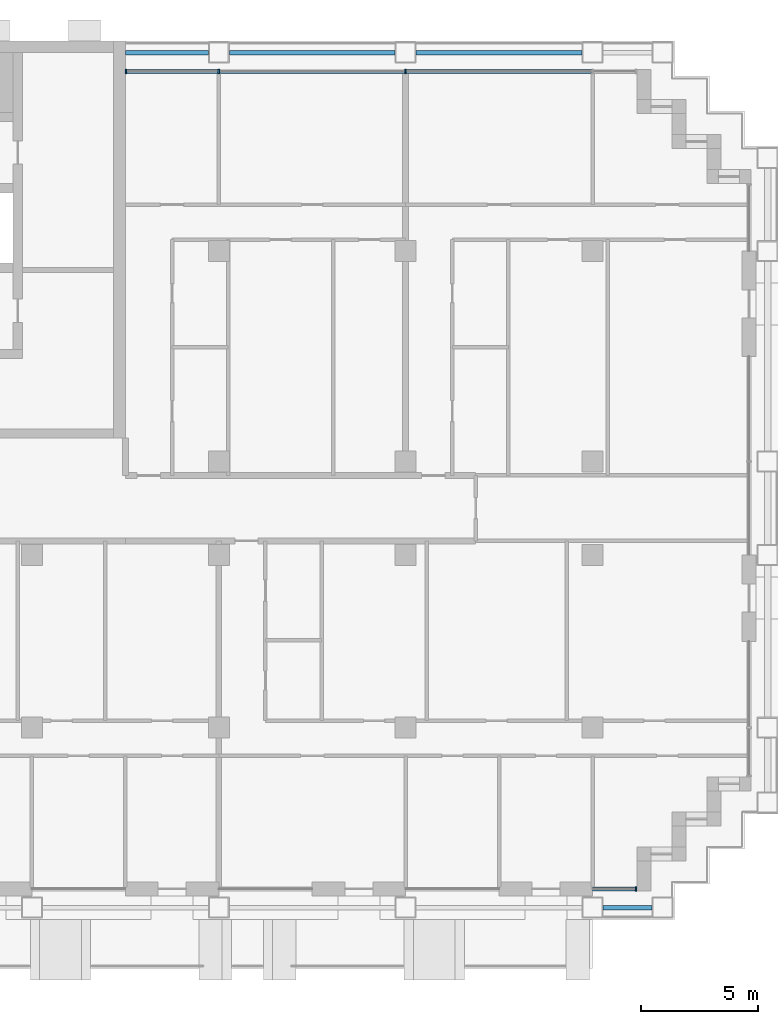
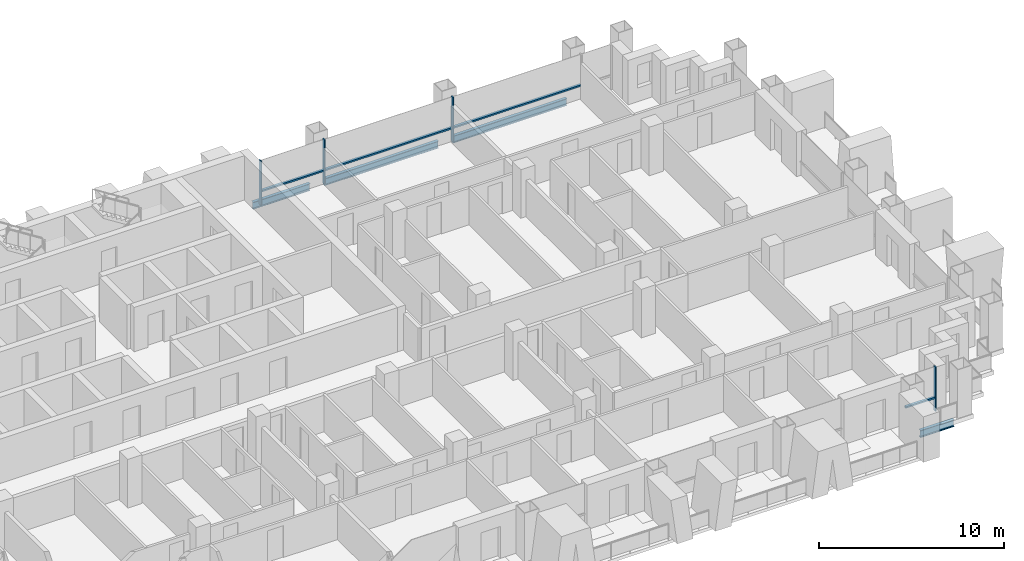
# One storey, part 5 of 17: 8 members, 4 beams, 2 elements without a shape of their own.
"""IFC4 building model written with IfcOpenShell, lengths in metres."""

from ifc_helpers import new_model, si_unit, direction, frame, origin, origin_2d, place, context, subcontext, project, spatial, rectangle, i_section, extrude, material, material_profile, profile_set, type_object, element, aggregate, save


model = new_model("IFC4")

# Units and contexts
model_context = context("Model", 3, precision=1e-05, world=origin(), true_north=direction((0.0, 1.0)))
body_context = subcontext(model_context, "Body", "Model", "MODEL_VIEW")
ifc_project = project(units=[si_unit("LENGTHUNIT", "METRE"), si_unit("AREAUNIT", "SQUARE_METRE"), si_unit("VOLUMEUNIT", "CUBIC_METRE"), si_unit("PLANEANGLEUNIT", "RADIAN"), si_unit("MASSUNIT", "GRAM", prefix="KILO")], contexts=[model_context])

# Site, building, storey
site_placement = place(None, origin())
site = spatial("IfcSite", under=ifc_project, at=site_placement, CompositionType="ELEMENT")
building_placement = place(site_placement, origin())
building = spatial("IfcBuilding", under=site, at=building_placement, Name="Vidyagriha Tower", CompositionType="ELEMENT")
storey_placement = place(building_placement, frame((0.0, 0.0, 87.10009765625)))
storey = spatial("IfcBuildingStorey", under=building, at=storey_placement, Name="L22", CompositionType="ELEMENT", Elevation=87.10009765625)

# Beams
ifc_material_1 = material(Name="Steel ASTM A992 Grade 50", Category="steel")
ifc_material_profile_1 = material_profile(ifc_material_1, i_section(OverallWidth=0.19189453125, OverallDepth=0.46240234375, WebThickness=0.010498046875, FlangeThickness=0.017578125, at=origin_2d()), Name="W18X60")
ifc_profile_set_1 = profile_set([ifc_material_profile_1], Name="Steel ASTM A992 Grade 50")
beam_type = type_object("IfcBeamType", Name="Edge beam W18X60", PredefinedType="SPANDREL", material=ifc_profile_set_1)
beam_1_placement = place(storey_placement, frame((34.449951171875, -17.10009765625, -0.51123046875), z_axis=(1.0, 0.0, 0.0), x_axis=(0.0, 1.0, 0.0)))
element("IfcBeam", 1, at=beam_1_placement, inside=storey, type_object=beam_type, Name="st-beam-L22-S09", PredefinedType="SPANDREL", context=body_context, shape_type="SweptSolid", body=[
    extrude(i_section(OverallWidth=0.19189453125, OverallDepth=0.46240234375, WebThickness=0.010498046875, FlangeThickness=0.017578125, at=origin_2d()), origin(), (0.0, 0.0, 1.0), 2.10009765625),
])
for number, where, z_axis, x_axis, name in (
    (2, (18.449951171875, 19.5, -0.51123046875), (1.0, 0.0, 0.0), (0.0, 1.0, 0.0), "st-beam-L22-NE21"),
    (3, (26.449951171875, 19.5, -0.51123046875), (1.0, 0.0, 0.0), (0.0, 1.0, 0.0), "st-beam-L22-NE22"),
):
    element("IfcBeam", number, at=place(storey_placement, frame(where, z_axis=z_axis, x_axis=x_axis)), inside=storey, type_object=beam_type, Name=name, PredefinedType="SPANDREL", context=body_context, shape_type="SweptSolid", body=[
        extrude(i_section(OverallWidth=0.19189453125, OverallDepth=0.46240234375, WebThickness=0.010498046875, FlangeThickness=0.017578125, at=origin_2d()), origin(), (0.0, 0.0, 1.0), 7.10009765625),
    ])
beam_2_placement = place(storey_placement, frame((14.0, 19.5, -0.51123046875), z_axis=(1.0, 0.0, 0.0), x_axis=(0.0, 1.0, 0.0)))
element("IfcBeam", 4, at=beam_2_placement, inside=storey, type_object=beam_type, Name="st-beam-L22-NC25", PredefinedType="SPANDREL", context=body_context, shape_type="SweptSolid", body=[
    extrude(i_section(OverallWidth=0.19189453125, OverallDepth=0.46240234375, WebThickness=0.010498046875, FlangeThickness=0.017578125, at=origin_2d()), origin(), (0.0, 0.0, 1.0), 3.550048828125),
])

# Curtain wall, members
ifc_material_2 = material(Name="Aluminium and glass curtain wall", Category="aluminium")
curtain_wall_type = type_object("IfcCurtainWallType", Name="Dwelling skin unitised curtain wall", PredefinedType="USERDEFINED", material=ifc_material_2)
curtain_wall_1_placement = place(storey_placement, origin())
curtain_wall_1 = element("IfcCurtainWall", 5, at=curtain_wall_1_placement, inside=storey, type_object=curtain_wall_type, Name="CW1 dwelling skin", ObjectType="UNITISED", PredefinedType="USERDEFINED")
ifc_material_3 = material(Name="Aluminium black anodised", Category="aluminium")
ifc_material_profile_2 = material_profile(ifc_material_3, rectangle(XDim=0.199951171875, YDim=0.070068359375, at=origin_2d()), Name="Mullion 70x200 black aluminium")
ifc_profile_set_2 = profile_set([ifc_material_profile_2], Name="Aluminium black anodised")
member_type_1 = type_object("IfcMemberType", Name="Mullion 70x200 black aluminium", PredefinedType="MULLION", material=ifc_profile_set_2)
member_1_placement = place(storey_placement, frame((26.0, 18.699951171875, 0.0), z_axis=(0.0, 0.0, 1.0), x_axis=(0.0, -1.0, 0.0)))
member_1 = element("IfcMember", 6, at=member_1_placement, type_object=member_type_1, Name="CW1 mullion 3", PredefinedType="MULLION", context=body_context, shape_type="SweptSolid", body=[
    extrude(rectangle(XDim=0.199951171875, YDim=0.070068359375, at=origin_2d()), origin(), (0.0, 0.0, 1.0), 2.919921875),
])
member_2_placement = place(storey_placement, frame((18.0, 18.699951171875, 0.0), z_axis=(0.0, 0.0, 1.0), x_axis=(0.0, -1.0, 0.0)))
member_2 = element("IfcMember", 7, at=member_2_placement, type_object=member_type_1, Name="CW1 mullion 4", PredefinedType="MULLION", context=body_context, shape_type="SweptSolid", body=[
    extrude(rectangle(XDim=0.199951171875, YDim=0.070068359375, at=origin_2d()), origin(), (0.0, 0.0, 1.0), 2.919921875),
])
member_3_placement = place(storey_placement, frame((14.034912109375, 18.699951171875, 0.0), z_axis=(0.0, 0.0, 1.0), x_axis=(0.0, -1.0, 0.0)))
member_3 = element("IfcMember", 8, at=member_3_placement, type_object=member_type_1, Name="CW1 mullion 5", PredefinedType="MULLION", context=body_context, shape_type="SweptSolid", body=[
    extrude(rectangle(XDim=0.199951171875, YDim=0.070068359375, at=origin_2d()), origin(), (0.0, 0.0, 1.0), 2.919921875),
])

# Curtain wall, member
curtain_wall_2_placement = place(storey_placement, origin())
curtain_wall_2 = element("IfcCurtainWall", 9, at=curtain_wall_2_placement, inside=storey, type_object=curtain_wall_type, Name="CW1 dwelling skin", ObjectType="UNITISED", PredefinedType="USERDEFINED")
member_4_placement = place(storey_placement, frame((35.864990234375, -16.300048828125, 0.0), z_axis=(0.0, 0.0, 1.0), x_axis=(0.0, 1.0, 0.0)))
member_4 = element("IfcMember", 10, at=member_4_placement, type_object=member_type_1, Name="CW1 mullion 2", PredefinedType="MULLION", context=body_context, shape_type="SweptSolid", body=[
    extrude(rectangle(XDim=0.199951171875, YDim=0.070068359375, at=origin_2d()), origin(), (0.0, 0.0, 1.0), 2.919921875),
])

# Member
ifc_material_4 = material(Name="Aluminium black anodised", Category="aluminium")
ifc_material_profile_3 = material_profile(ifc_material_4, rectangle(XDim=0.159912109375, YDim=0.10009765625, at=origin_2d()), Name="Transom 100x160 black aluminium")
ifc_profile_set_3 = profile_set([ifc_material_profile_3], Name="Aluminium black anodised")
member_type_2 = type_object("IfcMemberType", Name="Transom 100x160 black aluminium", PredefinedType="USERDEFINED", material=ifc_profile_set_3)
member_5_placement = place(storey_placement, frame((33.965087890625, 18.699951171875, 0.89990234375), z_axis=(-1.0, 0.0, 0.0), x_axis=(0.0, -1.0, 0.0)))
member_5 = element("IfcMember", 11, at=member_5_placement, type_object=member_type_2, Name="CW1 transom 2.1", ObjectType="TRANSOM", PredefinedType="USERDEFINED", context=body_context, shape_type="SweptSolid", body=[
    extrude(rectangle(XDim=0.159912109375, YDim=0.10009765625, at=origin_2d()), origin(), (0.0, 0.0, 1.0), 7.93017578125),
])

member_6_placement = place(storey_placement, frame((25.965087890625, 18.699951171875, 0.89990234375), z_axis=(-1.0, 0.0, 0.0), x_axis=(0.0, -1.0, 0.0)))
member_6 = element("IfcMember", 12, at=member_6_placement, type_object=member_type_2, Name="CW1 transom 3.1", ObjectType="TRANSOM", PredefinedType="USERDEFINED", context=body_context, shape_type="SweptSolid", body=[
    extrude(rectangle(XDim=0.159912109375, YDim=0.10009765625, at=origin_2d()), origin(), (0.0, 0.0, 1.0), 7.93017578125),
])

member_7_placement = place(storey_placement, frame((17.965087890625, 18.699951171875, 0.89990234375), z_axis=(-1.0, 0.0, 0.0), x_axis=(0.0, -1.0, 0.0)))
member_7 = element("IfcMember", 13, at=member_7_placement, type_object=member_type_2, Name="CW1 transom 4.1", ObjectType="TRANSOM", PredefinedType="USERDEFINED", context=body_context, shape_type="SweptSolid", body=[
    extrude(rectangle(XDim=0.159912109375, YDim=0.10009765625, at=origin_2d()), origin(), (0.0, 0.0, 1.0), 3.89501953125),
])

aggregate(curtain_wall_1, [member_1, member_2, member_3, member_5, member_6, member_7])

member_8_placement = place(storey_placement, frame((34.0, -16.300048828125, 0.89990234375), z_axis=(1.0, 0.0, 0.0), x_axis=(0.0, 1.0, 0.0)))
member_8 = element("IfcMember", 14, at=member_8_placement, type_object=member_type_2, Name="CW1 transom 1.1", ObjectType="TRANSOM", PredefinedType="USERDEFINED", context=body_context, shape_type="SweptSolid", body=[
    extrude(rectangle(XDim=0.159912109375, YDim=0.10009765625, at=origin_2d()), origin(), (0.0, 0.0, 1.0), 1.830078125),
])

aggregate(curtain_wall_2, [member_4, member_8])

save(model, "model.ifc")
